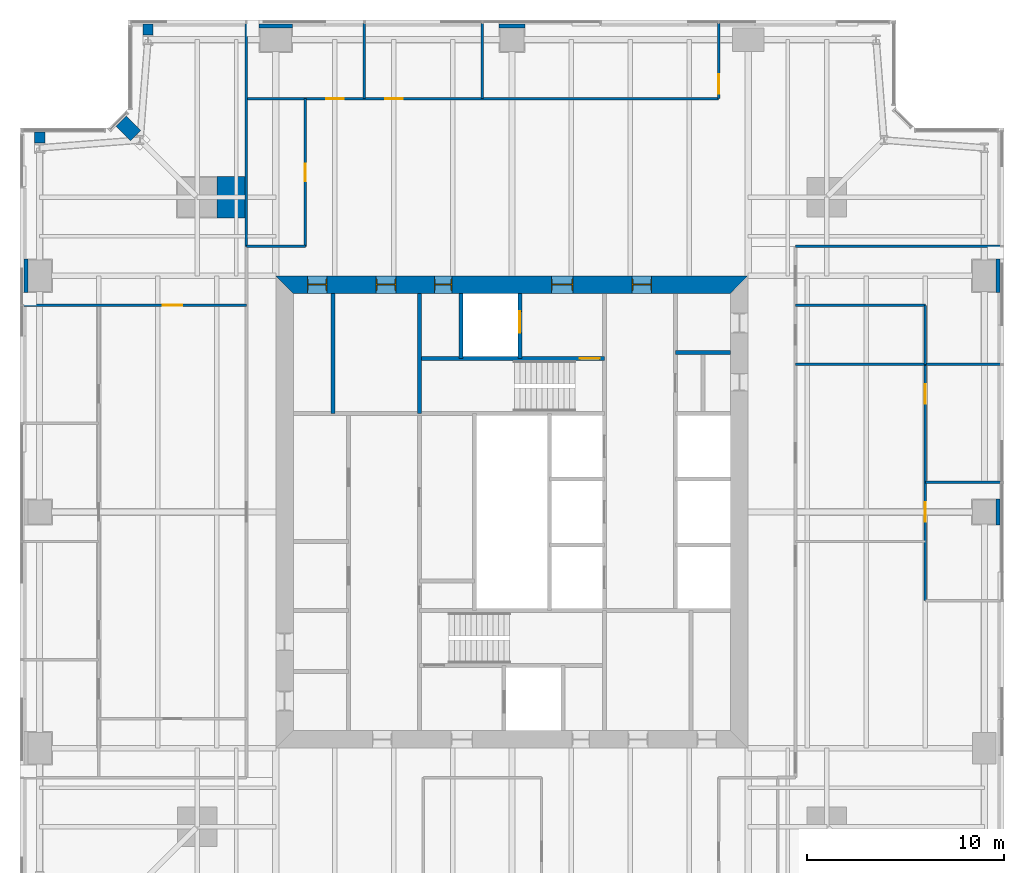
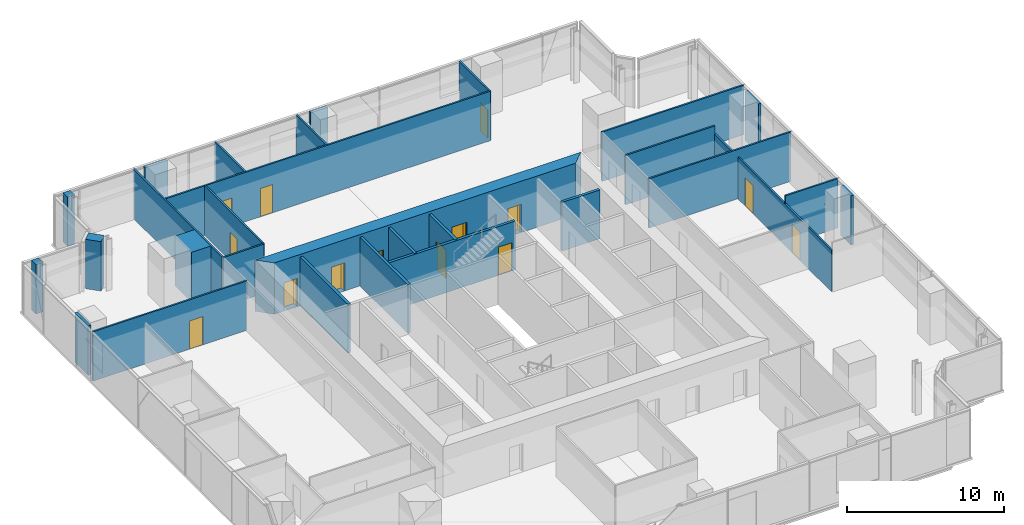
# One storey, part 11 of 14: 30 walls, 14 doors, 14 openings.
"""IFC4 building model written with IfcOpenShell, lengths in metres."""

import ifcopenshell
import ifcopenshell.guid

model = None  # the IFC model being written
_history = None  # IfcOwnerHistory: only IFC2X3 demands one
_inside = {}  # id of a spatial element -> (the spatial element, [elements in it])
_under = {}  # id of a project, library or spatial element -> (it, [spatial elements below it])
_declared = {}  # id of a project -> (the project, [libraries it declares])
_typed = {}  # id of a type object -> (the type object, [elements of that type])
_made_of = {}  # id of a material, layer set ... -> (it, [elements and type objects made of it])


def new_model(schema):
    """Start an empty IFC model of exactly this schema.

    Asked for "IFC4X3", IfcOpenShell would pick the latest addendum, in which some entities
    have other attributes; the version numbers below select the first issue.
    IFC2X3 requires an IfcOwnerHistory on every rooted entity: one is made here for all.
    """
    global model, _history
    if schema == "IFC4X3":
        model = ifcopenshell.file(schema_version=(4, 3, 0, 0))
    else:
        model = ifcopenshell.file(schema=schema)
    _inside.clear()
    _under.clear()
    _declared.clear()
    _typed.clear()
    _made_of.clear()
    _history = None
    if model.schema == "IFC2X3":
        org = make("IfcOrganization", Name="unknown")
        user = make(
            "IfcPersonAndOrganization",
            ThePerson=make("IfcPerson", FamilyName="unknown"),
            TheOrganization=org,
        )
        app = make(
            "IfcApplication",
            ApplicationDeveloper=org,
            Version="unknown",
            ApplicationFullName="unknown",
            ApplicationIdentifier="unknown",
        )
        _history = make(
            "IfcOwnerHistory",
            OwningUser=user,
            OwningApplication=app,
            ChangeAction="ADDED",
            CreationDate=0,
        )
    return model


def make(cls, **values):
    """One entity of the class cls with the attributes given. An attribute that is None is left unset."""
    return model.create_entity(
        cls, **{name: value for name, value in values.items() if value is not None}
    )


def rooted(cls, **values):
    """An entity with a GlobalId (a new one), such as an element, a storey or a relation."""
    return make(cls, GlobalId=ifcopenshell.guid.new(), OwnerHistory=_history, **values)


def si_unit(unit_type, name, prefix=None):
    """IfcSIUnit, for example si_unit("LENGTHUNIT", "METRE", prefix="MILLI")."""
    return make("IfcSIUnit", UnitType=unit_type, Prefix=prefix, Name=name)


def assignment(units):
    """IfcUnitAssignment: the units of a project."""
    return None if units is None else make("IfcUnitAssignment", Units=units)


def point(xyz):
    """IfcCartesianPoint."""
    return None if xyz is None else make("IfcCartesianPoint", Coordinates=xyz)


def direction(xyz):
    """IfcDirection."""
    return None if xyz is None else make("IfcDirection", DirectionRatios=xyz)


def frame(location, z_axis=None, x_axis=None):
    """IfcAxis2Placement3D, a coordinate frame: its origin and axes. An axis left out is left unset."""
    return make(
        "IfcAxis2Placement3D",
        Location=point(location),
        Axis=direction(z_axis),
        RefDirection=direction(x_axis),
    )


def frame_2d(location, x_axis=None):
    """IfcAxis2Placement2D, a coordinate frame in the plane: its origin and x axis."""
    return make(
        "IfcAxis2Placement2D", Location=point(location), RefDirection=direction(x_axis)
    )


def origin():
    """The frame at (0, 0, 0) with its axes left unset."""
    return frame((0.0, 0.0, 0.0))


def place(relative_to, where):
    """IfcLocalPlacement: puts the frame where relative to a parent placement (None: the world)."""
    return make(
        "IfcLocalPlacement", PlacementRelTo=relative_to, RelativePlacement=where
    )


def context(
    kind, dimensions, precision=None, world=None, true_north=None, identifier=None
):
    """IfcGeometricRepresentationContext, for example the 3D "Model" context."""
    return make(
        "IfcGeometricRepresentationContext",
        ContextIdentifier=identifier,
        ContextType=kind,
        CoordinateSpaceDimension=dimensions,
        Precision=precision,
        WorldCoordinateSystem=world,
        TrueNorth=true_north,
    )


def subcontext(parent, identifier, kind, view, scale=None):
    """IfcGeometricRepresentationSubContext, for example "Body" below "Model"."""
    return make(
        "IfcGeometricRepresentationSubContext",
        ContextIdentifier=identifier,
        ContextType=kind,
        ParentContext=parent,
        TargetScale=scale,
        TargetView=view,
    )


def project(units=None, contexts=None):
    """IfcProject with its units and contexts."""
    return rooted(
        "IfcProject",
        Name="project",
        RepresentationContexts=contexts,
        UnitsInContext=assignment(units),
    )


def spatial(cls, under=None, at=None, **own):
    """A site, building, storey or space (cls), placed at a placement, below another one or the project."""
    s = rooted(cls, ObjectPlacement=at, **own)
    if under is not None:
        _under.setdefault(under.id(), (under, []))[1].append(s)
    return s


def polyline(points):
    """IfcPolyline through the points."""
    return make("IfcPolyline", Points=[point(p) for p in points])


def profile(cls, at=None, kind="AREA", **sizes):
    """A parametric profile (cls). Its sizes go by their IFC names, for example OverallWidth=200.0."""
    return make(cls, ProfileType=kind, Position=at, **sizes)


def rectangle(**sizes):
    """IfcRectangleProfileDef."""
    return profile("IfcRectangleProfileDef", **sizes)


def outline(outer, holes=None, kind="AREA"):
    """IfcArbitraryClosedProfileDef: a profile drawn as a closed curve; with holes, ...WithVoids."""
    if holes is None:
        return make("IfcArbitraryClosedProfileDef", ProfileType=kind, OuterCurve=outer)
    return make(
        "IfcArbitraryProfileDefWithVoids",
        ProfileType=kind,
        OuterCurve=outer,
        InnerCurves=holes,
    )


def extrude(swept, where, along, depth):
    """IfcExtrudedAreaSolid: the profile swept, set in the frame where, extruded along a direction by depth."""
    return make(
        "IfcExtrudedAreaSolid",
        SweptArea=swept,
        Position=where,
        ExtrudedDirection=direction(along),
        Depth=depth,
    )


def shape(context_of_items, identifier, shape_type, items):
    """IfcShapeRepresentation: the items that make up one representation, for example the "Body"."""
    return make(
        "IfcShapeRepresentation",
        ContextOfItems=context_of_items,
        RepresentationIdentifier=identifier,
        RepresentationType=shape_type,
        Items=items,
    )


def material(Name=None, Category=None):
    """IfcMaterial."""
    return make("IfcMaterial", Name=Name, Category=Category)


def layer(
    of_material, thickness, ventilated=None, Name=None, Category=None, Priority=None
):
    """IfcMaterialLayer: one layer of a wall or slab, of a material (None: an air gap)."""
    return make(
        "IfcMaterialLayer",
        Material=of_material,
        LayerThickness=thickness,
        IsVentilated=ventilated,
        Name=Name,
        Category=Category,
        Priority=Priority,
    )


def layer_set(layers, Name=None):
    """IfcMaterialLayerSet."""
    return make("IfcMaterialLayerSet", MaterialLayers=layers, LayerSetName=Name)


def made_of(thing, what):
    """Note that an element or type object is made of a material, layer set ...; save() writes the relation."""
    if what is not None:
        _made_of.setdefault(what.id(), (what, []))[1].append(thing)
    return thing


def type_object(cls, material=None, **own):
    """A type object (cls), such as IfcWallType, which elements share."""
    return made_of(rooted(cls, **own), material)


def element(
    cls,
    number,
    at=None,
    inside=None,
    cuts=None,
    type_object=None,
    material=None,
    context=None,
    identifier="Body",
    shape_type=None,
    held_by="IfcProductDefinitionShape",
    body=None,
    shapes=None,
    **own,
):
    """One element of the class cls, such as IfcWall. Its Tag is "e" and its number.

    at: its placement. inside: the storey or other place that contains it. cuts: it is an
    opening in that element (IfcRelVoidsElement). A single representation is given by context,
    identifier, shape_type and body (its items); several are given by shapes. held_by: the class
    of the entity that holds the representations. save() writes the other relations.
    """
    e = rooted(cls, Tag="e%d" % number, ObjectPlacement=at, **own)
    if body is not None:
        shapes = [shape(context, identifier, shape_type, body)]
    if shapes is not None:
        e.Representation = make(held_by, Representations=shapes)
    if inside is not None:
        _inside.setdefault(inside.id(), (inside, []))[1].append(e)
    if cuts is not None:
        rooted(
            "IfcRelVoidsElement", RelatingBuildingElement=cuts, RelatedOpeningElement=e
        )
    if type_object is not None:
        _typed.setdefault(type_object.id(), (type_object, []))[1].append(e)
    return made_of(e, material)


def fill(opening, filler):
    """IfcRelFillsElement: the door or window that sits in an opening."""
    return rooted(
        "IfcRelFillsElement",
        RelatingOpeningElement=opening,
        RelatedBuildingElement=filler,
    )


def aggregate(whole, parts):
    """IfcRelAggregates: a whole, such as a stair, and the parts it consists of."""
    return rooted("IfcRelAggregates", RelatingObject=whole, RelatedObjects=parts)


def save(model, path):
    """Write the relations noted so far, then the file.

    IfcRelAggregates (storeys below a building ...), IfcRelContainedInSpatialStructure (elements
    in a storey), IfcRelDefinesByType, IfcRelAssociatesMaterial and IfcRelDeclares: one each for
    every whole, place, type object, material and project.
    """
    for whole, parts in _under.values():
        aggregate(whole, parts)
    for where, things in _inside.values():
        rooted(
            "IfcRelContainedInSpatialStructure",
            RelatedElements=things,
            RelatingStructure=where,
        )
    for kind, things in _typed.values():
        rooted("IfcRelDefinesByType", RelatedObjects=things, RelatingType=kind)
    for what, things in _made_of.values():
        rooted("IfcRelAssociatesMaterial", RelatedObjects=things, RelatingMaterial=what)
    for by, libraries in _declared.values():
        rooted("IfcRelDeclares", RelatingContext=by, RelatedDefinitions=libraries)
    model.write(path)


model = new_model("IFC4")

# Units and contexts
model_context = context("Model", 3, precision=1e-05, world=origin(), true_north=direction((0.0, 1.0)))
body_context = subcontext(model_context, "Body", "Model", "MODEL_VIEW")
ifc_project = project(units=[si_unit("LENGTHUNIT", "METRE"), si_unit("AREAUNIT", "SQUARE_METRE"), si_unit("VOLUMEUNIT", "CUBIC_METRE"), si_unit("PLANEANGLEUNIT", "RADIAN"), si_unit("MASSUNIT", "GRAM", prefix="KILO")], contexts=[model_context])

# Site, building, storey
site_placement = place(None, origin())
site = spatial("IfcSite", under=ifc_project, at=site_placement, CompositionType="ELEMENT")
building_placement = place(site_placement, origin())
building = spatial("IfcBuilding", under=site, at=building_placement, Name="Fenwick Lantern Interchange", CompositionType="ELEMENT")
storey_placement = place(building_placement, frame((0.0, 0.0, 173.800048828125)))
storey = spatial("IfcBuildingStorey", under=building, at=storey_placement, Name="L40", CompositionType="ELEMENT", Elevation=173.800048828125)

# Walls
ifc_material_1 = material(Name="Fire-rated gypsum board encasement on steel studs, 2 hour", Category="steel")
ifc_layer_1 = layer(ifc_material_1, 1.300048828125)
ifc_layer_set_1 = layer_set([ifc_layer_1], Name="COLUMN PIER 1300")
wall_type_1 = type_object("IfcWallType", Name="COLUMN PIER 1300", PredefinedType="PARTITIONING", material=ifc_layer_set_1)
for number, where, z_axis, x_axis, name in (
    (1, (49.800048828125, 25.0, 0.0), (0.0, 0.0, 1.0), (-1.0, 0.0, 0.0), "L40/W/PIER/CE3"),
    (2, (25.0, 49.800048828125, 0.0), (0.0, 0.0, 1.0), (0.0, -1.0, 0.0), "L40/W/PIER/CN3"),
):
    element("IfcWall", number, at=place(storey_placement, frame(where, z_axis=z_axis, x_axis=x_axis)), inside=storey, type_object=wall_type_1, Name=name, PredefinedType="PARTITIONING", context=body_context, shape_type="SweptSolid", body=[
        extrude(rectangle(XDim=0.199951171875, YDim=1.300048828125, at=frame_2d((0.10009765625, 0.0))), origin(), (0.0, 0.0, 1.0), 3.849853515625),
    ])
ifc_layer_2 = layer(ifc_material_1, 1.699951171875)
ifc_layer_set_2 = layer_set([ifc_layer_2], Name="COLUMN PIER 1700")
wall_type_2 = type_object("IfcWallType", Name="COLUMN PIER 1700", PredefinedType="PARTITIONING", material=ifc_layer_set_2)
for number, where, z_axis, x_axis, name in (
    (3, (49.800048828125, 37.0, 0.0), (0.0, 0.0, 1.0), (-1.0, 0.0, 0.0), "L40/W/PIER/CE4"),
    (4, (13.0, 49.800048828125, 0.0), (0.0, 0.0, 1.0), (0.0, -1.0, 0.0), "L40/W/PIER/CN4"),
    (5, (0.199951171875, 37.0, 0.0), (0.0, 0.0, 1.0), (1.0, 0.0, 0.0), "L40/W/PIER/CW2"),
):
    element("IfcWall", number, at=place(storey_placement, frame(where, z_axis=z_axis, x_axis=x_axis)), inside=storey, type_object=wall_type_2, Name=name, PredefinedType="PARTITIONING", context=body_context, shape_type="SweptSolid", body=[
        extrude(rectangle(XDim=0.199951171875, YDim=1.699951171875, at=frame_2d((0.10009765625, 0.0))), origin(), (0.0, 0.0, 1.0), 3.849853515625),
    ])
ifc_layer_3 = layer(ifc_material_1, 2.10009765625)
ifc_layer_set_3 = layer_set([ifc_layer_3], Name="COLUMN PIER 2100")
wall_type_3 = type_object("IfcWallType", Name="COLUMN PIER 2100", PredefinedType="PARTITIONING", material=ifc_layer_set_3)
wall_1_placement = place(storey_placement, frame((11.4375, 41.0, 0.0), z_axis=(0.0, 0.0, 1.0), x_axis=(-1.0, 0.0, 0.0)))
element("IfcWall", 6, at=wall_1_placement, inside=storey, type_object=wall_type_3, Name="L40/W/PIER/M4", PredefinedType="PARTITIONING", context=body_context, shape_type="SweptSolid", body=[
    extrude(rectangle(XDim=1.4375, YDim=2.10009765625, at=frame_2d((0.71875, 0.0))), origin(), (0.0, 0.0, 1.0), 3.849853515625),
])
ifc_layer_4 = layer(ifc_material_1, 0.52392578125)
ifc_layer_set_4 = layer_set([ifc_layer_4], Name="COLUMN PIER 524")
wall_type_4 = type_object("IfcWallType", Name="COLUMN PIER 524", PredefinedType="PARTITIONING", material=ifc_layer_set_4)
for number, where, z_axis, x_axis, name in (
    (7, (6.5, 49.800048828125, 0.0), (0.0, 0.0, 1.0), (0.0, -1.0, 0.0), "L40/W/PIER/CN5"),
    (8, (1.0, 44.300048828125, 0.0), (0.0, 0.0, 1.0), (0.0, -1.0, 0.0), "L40/W/PIER/CW1"),
):
    element("IfcWall", number, at=place(storey_placement, frame(where, z_axis=z_axis, x_axis=x_axis)), inside=storey, type_object=wall_type_4, Name=name, PredefinedType="PARTITIONING", context=body_context, shape_type="SweptSolid", body=[
        extrude(rectangle(XDim=0.5625, YDim=0.52392578125, at=frame_2d((0.28125, 0.0))), origin(), (0.0, 0.0, 1.0), 3.849853515625),
    ])
ifc_layer_5 = layer(ifc_material_1, 0.736083984375)
ifc_layer_set_5 = layer_set([ifc_layer_5], Name="COLUMN PIER 736")
wall_type_5 = type_object("IfcWallType", Name="COLUMN PIER 736", PredefinedType="PARTITIONING", material=ifc_layer_set_5)
wall_2_placement = place(storey_placement, frame((5.141357421875, 44.858642578125, 0.0), z_axis=(0.0, 0.0, 1.0), x_axis=(0.707106781187, -0.707106781187, 0.0)))
element("IfcWall", 9, at=wall_2_placement, inside=storey, type_object=wall_type_5, Name="L40/W/PIER/CNR", PredefinedType="PARTITIONING", context=body_context, shape_type="SweptSolid", body=[
    extrude(rectangle(XDim=1.037841796875, YDim=0.736083984375, at=frame_2d((0.51904296875, 0.0))), origin(), (0.0, 0.0, 1.0), 3.849853515625),
])

# Wall, opening, door
ifc_material_2 = material(Name="Concrete masonry ASTM C90 Grade N", Category="masonry")
ifc_layer_6 = layer(ifc_material_2, 0.199951171875)
ifc_layer_set_6 = layer_set([ifc_layer_6], Name="Concrete masonry ASTM C90 Grade N")
wall_type_6 = type_object("IfcWallType", Name="CORE PARTITION 200", PredefinedType="PARTITIONING", material=ifc_layer_set_6)
wall_3_placement = place(storey_placement, frame((25.39990234375, 36.10009765625, 0.0), z_axis=(0.0, 0.0, 1.0), x_axis=(0.0, -1.0, 0.0)))
wall_3 = element("IfcWall", 10, at=wall_3_placement, inside=storey, type_object=wall_type_6, Name="L40/W/COREN/h1", PredefinedType="PARTITIONING", context=body_context, shape_type="SweptSolid", body=[
    extrude(rectangle(XDim=3.300048828125, YDim=0.199951171875, at=frame_2d((1.64990234375, 0.0))), origin(), (0.0, 0.0, 1.0), 3.800048828125),
])
opening_1_placement = place(wall_3_placement, frame((0.89990234375, 0.0, 0.0)))
opening_1 = element("IfcOpeningElement", 11, at=opening_1_placement, cuts=wall_3, Name="Opening LD-FL2", PredefinedType="OPENING", context=body_context, shape_type="SweptSolid", body=[
    extrude(rectangle(XDim=1.10009765625, YDim=2.199951171875, at=frame_2d((0.550048828125, 1.10009765625))), frame((0.0, 0.10986328125, 0.0), z_axis=(0.0, -1.0, 0.0), x_axis=(1.0, 0.0, 0.0)), (0.0, 0.0, 1.0), 0.219970703125),
])
ifc_material_3 = material(Name="Steel door and frame", Category="steel")
door_type_1 = type_object("IfcDoorType", Name="LIFT LANDING DOOR 1100 X 2200", OperationType="DOUBLE_DOOR_SLIDING", PredefinedType="DOOR", material=ifc_material_3)
door_1_placement = place(opening_1_placement, origin())
door_1 = element("IfcDoor", 12, at=door_1_placement, inside=storey, type_object=door_type_1, Name="Lift landing door FL2", OperationType="DOUBLE_DOOR_SLIDING", OverallHeight=2.199951171875, OverallWidth=1.10009765625, PredefinedType="DOOR", context=body_context, shape_type="SweptSolid", body=[
    extrude(rectangle(XDim=1.10009765625, YDim=2.199951171875, at=frame_2d((0.550048828125, 1.10009765625))), frame((0.0, 0.02490234375, 0.0), z_axis=(0.0, -1.0, 0.0), x_axis=(1.0, 0.0, 0.0)), (0.0, 0.0, 1.0), 0.050048828125),
])
fill(opening_1, door_1)

# Walls
wall_4_placement = place(storey_placement, frame((22.39990234375, 36.10009765625, 0.0), z_axis=(0.0, 0.0, 1.0), x_axis=(0.0, -1.0, 0.0)))
element("IfcWall", 13, at=wall_4_placement, inside=storey, type_object=wall_type_6, Name="L40/W/COREN/h2", PredefinedType="PARTITIONING", context=body_context, shape_type="SweptSolid", body=[
    extrude(rectangle(XDim=3.300048828125, YDim=0.199951171875, at=frame_2d((1.64990234375, 0.0))), origin(), (0.0, 0.0, 1.0), 3.800048828125),
])
wall_5_placement = place(storey_placement, frame((15.89990234375, 36.10009765625, 0.0), z_axis=(0.0, 0.0, 1.0), x_axis=(0.0, -1.0, 0.0)))
element("IfcWall", 14, at=wall_5_placement, inside=storey, type_object=wall_type_6, Name="L40/W/COREN/i2", PredefinedType="PARTITIONING", context=body_context, shape_type="SweptSolid", body=[
    extrude(rectangle(XDim=6.10009765625, YDim=0.199951171875, at=frame_2d((3.050048828125, 0.0))), origin(), (0.0, 0.0, 1.0), 3.800048828125),
])
wall_6_placement = place(storey_placement, frame((36.10009765625, 33.10009765625, 0.0), z_axis=(0.0, 0.0, 1.0), x_axis=(-1.0, 0.0, 0.0)))
element("IfcWall", 15, at=wall_6_placement, inside=storey, type_object=wall_type_6, Name="L40/W/COREN/p1", PredefinedType="PARTITIONING", context=body_context, shape_type="SweptSolid", body=[
    extrude(rectangle(XDim=2.800048828125, YDim=0.199951171875, at=frame_2d((1.39990234375, 0.0))), origin(), (0.0, 0.0, 1.0), 3.800048828125),
])

# Wall, openings, doors
ifc_material_4 = material(Name="Concrete f'c 70 MPa", Category="concrete")
ifc_layer_7 = layer(ifc_material_4, 0.89990234375)
ifc_layer_set_7 = layer_set([ifc_layer_7], Name="CORE WALL 900")
wall_type_7 = type_object("IfcWallType", Name="CORE WALL 900", PredefinedType="SHEAR", material=ifc_layer_set_7)
wall_7_placement = place(storey_placement, frame((37.0, 36.550048828125, 0.0), z_axis=(0.0, 0.0, 1.0), x_axis=(-1.0, 0.0, 0.0)))
wall_7 = element("IfcWall", 16, at=wall_7_placement, inside=storey, type_object=wall_type_7, Name="L40/CORE/N", PredefinedType="SHEAR", context=body_context, shape_type="SweptSolid", body=[
    extrude(outline(polyline([(0.0, -0.449951171875), (24.0, -0.449951171875), (23.10009765625, 0.449951171875), (0.89990234375, 0.449951171875), (0.0, -0.449951171875)])), origin(), (0.0, 0.0, 1.0), 4.0),
])
opening_2_placement = place(wall_7_placement, frame((4.89990234375, 0.0, 0.0)))
opening_2 = element("IfcOpeningElement", 17, at=opening_2_placement, cuts=wall_7, Name="Opening L40-D013", PredefinedType="OPENING", context=body_context, shape_type="SweptSolid", body=[
    extrude(rectangle(XDim=1.0, YDim=2.199951171875, at=frame_2d((0.5, 1.10009765625))), frame((0.0, 0.4599609375, 0.0), z_axis=(0.0, -1.0, 0.0), x_axis=(1.0, 0.0, 0.0)), (0.0, 0.0, 1.0), 0.919921875),
])
opening_3_placement = place(wall_7_placement, frame((8.89990234375, 0.0, 0.0)))
opening_3 = element("IfcOpeningElement", 18, at=opening_3_placement, cuts=wall_7, Name="Opening L40-D014", PredefinedType="OPENING", context=body_context, shape_type="SweptSolid", body=[
    extrude(rectangle(XDim=1.10009765625, YDim=2.199951171875, at=frame_2d((0.550048828125, 1.10009765625))), frame((0.0, 0.4599609375, 0.0), z_axis=(0.0, -1.0, 0.0), x_axis=(1.0, 0.0, 0.0)), (0.0, 0.0, 1.0), 0.919921875),
])
opening_4_placement = place(wall_7_placement, frame((15.050048828125, 0.0, 0.0)))
opening_4 = element("IfcOpeningElement", 19, at=opening_4_placement, cuts=wall_7, Name="Opening L40-D016", PredefinedType="OPENING", context=body_context, shape_type="SweptSolid", body=[
    extrude(rectangle(XDim=0.89990234375, YDim=2.199951171875, at=frame_2d((0.449951171875, 1.10009765625))), frame((0.0, 0.4599609375, 0.0), z_axis=(0.0, -1.0, 0.0), x_axis=(1.0, 0.0, 0.0)), (0.0, 0.0, 1.0), 0.919921875),
])
opening_5_placement = place(wall_7_placement, frame((17.89990234375, 0.0, 0.0)))
opening_5 = element("IfcOpeningElement", 20, at=opening_5_placement, cuts=wall_7, Name="Opening L40-D017", PredefinedType="OPENING", context=body_context, shape_type="SweptSolid", body=[
    extrude(rectangle(XDim=1.0, YDim=2.199951171875, at=frame_2d((0.5, 1.10009765625))), frame((0.0, 0.4599609375, 0.0), z_axis=(0.0, -1.0, 0.0), x_axis=(1.0, 0.0, 0.0)), (0.0, 0.0, 1.0), 0.919921875),
])
opening_6_placement = place(wall_7_placement, frame((21.39990234375, 0.0, 0.0)))
opening_6 = element("IfcOpeningElement", 21, at=opening_6_placement, cuts=wall_7, Name="Opening L40-D018", PredefinedType="OPENING", context=body_context, shape_type="SweptSolid", body=[
    extrude(rectangle(XDim=1.0, YDim=2.199951171875, at=frame_2d((0.5, 1.10009765625))), frame((0.0, 0.4599609375, 0.0), z_axis=(0.0, -1.0, 0.0), x_axis=(1.0, 0.0, 0.0)), (0.0, 0.0, 1.0), 0.919921875),
])
door_type_2 = type_object("IfcDoorType", Name="CORE LOBBY DOOR 1000 X 2200", OperationType="SINGLE_SWING_LEFT", PredefinedType="DOOR", material=ifc_material_3)
door_2_placement = place(opening_2_placement, origin())
door_2 = element("IfcDoor", 22, at=door_2_placement, inside=storey, type_object=door_type_2, Name="Core lobby door", OperationType="SINGLE_SWING_LEFT", OverallHeight=2.199951171875, OverallWidth=1.0, PredefinedType="DOOR", context=body_context, shape_type="SweptSolid", body=[
    extrude(rectangle(XDim=1.0, YDim=2.199951171875, at=frame_2d((0.5, 1.10009765625))), frame((0.0, 0.02490234375, 0.0), z_axis=(0.0, -1.0, 0.0), x_axis=(1.0, 0.0, 0.0)), (0.0, 0.0, 1.0), 0.050048828125),
    extrude(outline(polyline([(0.0, 0.0), (0.0400390625, 0.0), (0.0400390625, 2.159912109375), (0.9599609375, 2.159912109375), (0.9599609375, 0.0), (1.0, 0.0), (1.0, 2.199951171875), (0.0, 2.199951171875), (0.0, 0.0)])), frame((0.0, 0.300048828125, 0.0), z_axis=(0.0, -1.0, 0.0), x_axis=(1.0, 0.0, 0.0)), (0.0, 0.0, 1.0), 0.60009765625),
])
fill(opening_2, door_2)
door_type_3 = type_object("IfcDoorType", Name="FIRE LOBBY DOOR 1100 X 2200", OperationType="SINGLE_SWING_LEFT", PredefinedType="DOOR", material=ifc_material_3)
door_3_placement = place(opening_3_placement, origin())
door_3 = element("IfcDoor", 23, at=door_3_placement, inside=storey, type_object=door_type_3, Name="Fire lobby door", OperationType="SINGLE_SWING_LEFT", OverallHeight=2.199951171875, OverallWidth=1.10009765625, PredefinedType="DOOR", context=body_context, shape_type="SweptSolid", body=[
    extrude(rectangle(XDim=1.10009765625, YDim=2.199951171875, at=frame_2d((0.550048828125, 1.10009765625))), frame((0.0, 0.02490234375, 0.0), z_axis=(0.0, -1.0, 0.0), x_axis=(1.0, 0.0, 0.0)), (0.0, 0.0, 1.0), 0.050048828125),
    extrude(outline(polyline([(0.0, 0.0), (0.0400390625, 0.0), (0.0400390625, 2.159912109375), (1.06005859375, 2.159912109375), (1.06005859375, 0.0), (1.10009765625, 0.0), (1.10009765625, 2.199951171875), (0.0, 2.199951171875), (0.0, 0.0)])), frame((0.0, 0.300048828125, 0.0), z_axis=(0.0, -1.0, 0.0), x_axis=(1.0, 0.0, 0.0)), (0.0, 0.0, 1.0), 0.60009765625),
])
fill(opening_3, door_3)
door_type_4 = type_object("IfcDoorType", Name="SERVICE DOOR 900 X 2200", OperationType="SINGLE_SWING_LEFT", PredefinedType="DOOR", material=ifc_material_3)
door_4_placement = place(opening_4_placement, origin())
door_4 = element("IfcDoor", 24, at=door_4_placement, inside=storey, type_object=door_type_4, Name="Service door", OperationType="SINGLE_SWING_LEFT", OverallHeight=2.199951171875, OverallWidth=0.89990234375, PredefinedType="DOOR", context=body_context, shape_type="SweptSolid", body=[
    extrude(rectangle(XDim=0.89990234375, YDim=2.199951171875, at=frame_2d((0.449951171875, 1.10009765625))), frame((0.0, 0.02490234375, 0.0), z_axis=(0.0, -1.0, 0.0), x_axis=(1.0, 0.0, 0.0)), (0.0, 0.0, 1.0), 0.050048828125),
    extrude(outline(polyline([(0.0, 0.0), (0.0400390625, 0.0), (0.0400390625, 2.159912109375), (0.85986328125, 2.159912109375), (0.85986328125, 0.0), (0.89990234375, 0.0), (0.89990234375, 2.199951171875), (0.0, 2.199951171875), (0.0, 0.0)])), frame((0.0, 0.300048828125, 0.0), z_axis=(0.0, -1.0, 0.0), x_axis=(1.0, 0.0, 0.0)), (0.0, 0.0, 1.0), 0.60009765625),
])
fill(opening_4, door_4)
ifc_material_5 = material(Name="Hardwood door and steel frame", Category="steel")
door_type_5 = type_object("IfcDoorType", Name="WC DOOR 1000 X 2200", OperationType="SINGLE_SWING_LEFT", PredefinedType="DOOR", material=ifc_material_5)
door_5_placement = place(opening_5_placement, origin())
door_5 = element("IfcDoor", 25, at=door_5_placement, inside=storey, type_object=door_type_5, Name="Wc door", OperationType="SINGLE_SWING_LEFT", OverallHeight=2.199951171875, OverallWidth=1.0, PredefinedType="DOOR", context=body_context, shape_type="SweptSolid", body=[
    extrude(rectangle(XDim=1.0, YDim=2.199951171875, at=frame_2d((0.5, 1.10009765625))), frame((0.0, 0.02490234375, 0.0), z_axis=(0.0, -1.0, 0.0), x_axis=(1.0, 0.0, 0.0)), (0.0, 0.0, 1.0), 0.050048828125),
    extrude(outline(polyline([(0.0, 0.0), (0.0400390625, 0.0), (0.0400390625, 2.159912109375), (0.9599609375, 2.159912109375), (0.9599609375, 0.0), (1.0, 0.0), (1.0, 2.199951171875), (0.0, 2.199951171875), (0.0, 0.0)])), frame((0.0, 0.300048828125, 0.0), z_axis=(0.0, -1.0, 0.0), x_axis=(1.0, 0.0, 0.0)), (0.0, 0.0, 1.0), 0.60009765625),
])
fill(opening_5, door_5)
door_6_placement = place(opening_6_placement, origin())
door_6 = element("IfcDoor", 26, at=door_6_placement, inside=storey, type_object=door_type_5, Name="Wc door", OperationType="SINGLE_SWING_LEFT", OverallHeight=2.199951171875, OverallWidth=1.0, PredefinedType="DOOR", context=body_context, shape_type="SweptSolid", body=[
    extrude(rectangle(XDim=1.0, YDim=2.199951171875, at=frame_2d((0.5, 1.10009765625))), frame((0.0, 0.02490234375, 0.0), z_axis=(0.0, -1.0, 0.0), x_axis=(1.0, 0.0, 0.0)), (0.0, 0.0, 1.0), 0.050048828125),
    extrude(outline(polyline([(0.0, 0.0), (0.0400390625, 0.0), (0.0400390625, 2.159912109375), (0.9599609375, 2.159912109375), (0.9599609375, 0.0), (1.0, 0.0), (1.0, 2.199951171875), (0.0, 2.199951171875), (0.0, 0.0)])), frame((0.0, 0.300048828125, 0.0), z_axis=(0.0, -1.0, 0.0), x_axis=(1.0, 0.0, 0.0)), (0.0, 0.0, 1.0), 0.60009765625),
])
fill(opening_6, door_6)

# Walls
ifc_material_6 = material(Name="Gypsum board on steel studs, acoustic", Category="steel")
ifc_layer_8 = layer(ifc_material_6, 0.125)
ifc_layer_set_8 = layer_set([ifc_layer_8], Name="OFFICE PARTITION 125")
wall_type_8 = type_object("IfcWallType", Name="OFFICE PARTITION 125", PredefinedType="PARTITIONING", material=ifc_layer_set_8)
wall_8_placement = place(storey_placement, frame((49.85009765625, 26.5, 0.0), z_axis=(0.0, 0.0, 1.0), x_axis=(-1.0, 0.0, 0.0)))
element("IfcWall", 27, at=wall_8_placement, inside=storey, type_object=wall_type_8, Name="L40/W/OFF/E/X265-1", PredefinedType="PARTITIONING", context=body_context, shape_type="SweptSolid", body=[
    extrude(rectangle(XDim=3.85009765625, YDim=0.125, at=frame_2d((1.925048828125, 0.0))), origin(), (0.0, 0.0, 1.0), 3.849853515625),
])
wall_9_placement = place(storey_placement, frame((49.85009765625, 32.5, 0.0), z_axis=(0.0, 0.0, 1.0), x_axis=(-1.0, 0.0, 0.0)))
element("IfcWall", 28, at=wall_9_placement, inside=storey, type_object=wall_type_8, Name="L40/W/OFF/E/X325-1", PredefinedType="PARTITIONING", context=body_context, shape_type="SweptSolid", body=[
    extrude(rectangle(XDim=10.4501953125, YDim=0.125, at=frame_2d((5.22509765625, 0.0))), origin(), (0.0, 0.0, 1.0), 3.849853515625),
])
wall_10_placement = place(storey_placement, frame((46.0, 35.5, 0.0), z_axis=(0.0, 0.0, 1.0), x_axis=(-1.0, 0.0, 0.0)))
element("IfcWall", 29, at=wall_10_placement, inside=storey, type_object=wall_type_8, Name="L40/W/OFF/E/X355-1", PredefinedType="PARTITIONING", context=body_context, shape_type="SweptSolid", body=[
    extrude(rectangle(XDim=6.60009765625, YDim=0.125, at=frame_2d((3.300048828125, 0.0))), origin(), (0.0, 0.0, 1.0), 3.849853515625),
])

# Wall, openings, doors
wall_11_placement = place(storey_placement, frame((46.0, 20.5, 0.0), z_axis=(0.0, 0.0, 1.0), x_axis=(0.0, 1.0, 0.0)))
wall_11 = element("IfcWall", 30, at=wall_11_placement, inside=storey, type_object=wall_type_8, Name="L40/W/OFF/E/Y40-1", PredefinedType="PARTITIONING", context=body_context, shape_type="SweptSolid", body=[
    extrude(rectangle(XDim=12.0, YDim=0.125, at=frame_2d((6.0, 0.0))), origin(), (0.0, 0.0, 1.0), 3.23779296875),
])
opening_7_placement = place(wall_11_placement, frame((4.0, 0.0, 0.0)))
opening_7 = element("IfcOpeningElement", 31, at=opening_7_placement, cuts=wall_11, Name="Opening L40-D026", PredefinedType="OPENING", context=body_context, shape_type="SweptSolid", body=[
    extrude(rectangle(XDim=1.0, YDim=2.199951171875, at=frame_2d((0.5, 1.10009765625))), frame((0.0, 0.072509765625, 0.0), z_axis=(0.0, -1.0, 0.0), x_axis=(1.0, 0.0, 0.0)), (0.0, 0.0, 1.0), 0.14501953125),
])
opening_8_placement = place(wall_11_placement, frame((10.0, 0.0, 0.0)))
opening_8 = element("IfcOpeningElement", 32, at=opening_8_placement, cuts=wall_11, Name="Opening L40-D027", PredefinedType="OPENING", context=body_context, shape_type="SweptSolid", body=[
    extrude(rectangle(XDim=1.0, YDim=2.199951171875, at=frame_2d((0.5, 1.10009765625))), frame((0.0, 0.072509765625, 0.0), z_axis=(0.0, -1.0, 0.0), x_axis=(1.0, 0.0, 0.0)), (0.0, 0.0, 1.0), 0.14501953125),
])
door_type_6 = type_object("IfcDoorType", Name="MEETING ROOM DOOR 1000 X 2200", OperationType="SINGLE_SWING_LEFT", PredefinedType="DOOR", material=ifc_material_5)
door_7_placement = place(opening_7_placement, frame((1.0, 0.0, 0.0), z_axis=(0.0, 0.0, 1.0), x_axis=(-1.0, 0.0, 0.0)))
door_7 = element("IfcDoor", 33, at=door_7_placement, inside=storey, type_object=door_type_6, Name="Meeting room door", OperationType="SINGLE_SWING_LEFT", OverallHeight=2.199951171875, OverallWidth=1.0, PredefinedType="DOOR", context=body_context, shape_type="SweptSolid", body=[
    extrude(rectangle(XDim=1.0, YDim=2.199951171875, at=frame_2d((0.5, 1.10009765625))), frame((0.0, 0.02490234375, 0.0), z_axis=(0.0, -1.0, 0.0), x_axis=(1.0, 0.0, 0.0)), (0.0, 0.0, 1.0), 0.050048828125),
])
fill(opening_7, door_7)
door_8_placement = place(opening_8_placement, frame((1.0, 0.0, 0.0), z_axis=(0.0, 0.0, 1.0), x_axis=(-1.0, 0.0, 0.0)))
door_8 = element("IfcDoor", 34, at=door_8_placement, inside=storey, type_object=door_type_6, Name="Meeting room door", OperationType="SINGLE_SWING_LEFT", OverallHeight=2.199951171875, OverallWidth=1.0, PredefinedType="DOOR", context=body_context, shape_type="SweptSolid", body=[
    extrude(rectangle(XDim=1.0, YDim=2.199951171875, at=frame_2d((0.5, 1.10009765625))), frame((0.0, 0.02490234375, 0.0), z_axis=(0.0, -1.0, 0.0), x_axis=(1.0, 0.0, 0.0)), (0.0, 0.0, 1.0), 0.050048828125),
])
fill(opening_8, door_8)

# Walls
wall_12_placement = place(storey_placement, frame((46.0, 32.5, 0.0), z_axis=(0.0, 0.0, 1.0), x_axis=(0.0, 1.0, 0.0)))
element("IfcWall", 35, at=wall_12_placement, inside=storey, type_object=wall_type_8, Name="L40/W/OFF/E/Y40-2", PredefinedType="PARTITIONING", context=body_context, shape_type="SweptSolid", body=[
    extrude(rectangle(XDim=3.0, YDim=0.125, at=frame_2d((1.5, 0.0))), origin(), (0.0, 0.0, 1.0), 3.23779296875),
])
wall_13_placement = place(storey_placement, frame((49.85009765625, 38.5, 0.0), z_axis=(0.0, 0.0, 1.0), x_axis=(-1.0, 0.0, 0.0)))
element("IfcWall", 36, at=wall_13_placement, inside=storey, type_object=wall_type_8, Name="L40/W/OFF/N/BACK", PredefinedType="PARTITIONING", context=body_context, shape_type="SweptSolid", body=[
    extrude(rectangle(XDim=10.4501953125, YDim=0.125, at=frame_2d((5.22509765625, 0.0))), origin(), (0.0, 0.0, 1.0), 3.849853515625),
])

# Wall, opening, door
wall_14_placement = place(storey_placement, frame((35.5, 49.85009765625, 0.0), z_axis=(0.0, 0.0, 1.0), x_axis=(0.0, -1.0, 0.0)))
wall_14 = element("IfcWall", 37, at=wall_14_placement, inside=storey, type_object=wall_type_8, Name="L40/W/OFF/N/X145-1", PredefinedType="PARTITIONING", context=body_context, shape_type="SweptSolid", body=[
    extrude(rectangle(XDim=3.85009765625, YDim=0.125, at=frame_2d((1.925048828125, 0.0))), origin(), (0.0, 0.0, 1.0), 3.849853515625),
])
opening_9_placement = place(wall_14_placement, frame((2.60009765625, 0.0, 0.0)))
opening_9 = element("IfcOpeningElement", 38, at=opening_9_placement, cuts=wall_14, Name="Opening L40-D032", PredefinedType="OPENING", context=body_context, shape_type="SweptSolid", body=[
    extrude(rectangle(XDim=1.0, YDim=2.199951171875, at=frame_2d((0.5, 1.10009765625))), frame((0.0, 0.072509765625, 0.0), z_axis=(0.0, -1.0, 0.0), x_axis=(1.0, 0.0, 0.0)), (0.0, 0.0, 1.0), 0.14501953125),
])
door_9_placement = place(opening_9_placement, frame((1.0, 0.0, 0.0), z_axis=(0.0, 0.0, 1.0), x_axis=(-1.0, 0.0, 0.0)))
door_9 = element("IfcDoor", 39, at=door_9_placement, inside=storey, type_object=door_type_6, Name="Meeting room door", OperationType="SINGLE_SWING_LEFT", OverallHeight=2.199951171875, OverallWidth=1.0, PredefinedType="DOOR", context=body_context, shape_type="SweptSolid", body=[
    extrude(rectangle(XDim=1.0, YDim=2.199951171875, at=frame_2d((0.5, 1.10009765625))), frame((0.0, 0.02490234375, 0.0), z_axis=(0.0, -1.0, 0.0), x_axis=(1.0, 0.0, 0.0)), (0.0, 0.0, 1.0), 0.050048828125),
])
fill(opening_9, door_9)

# Walls
for number, where, z_axis, x_axis, name in (
    (40, (23.5, 49.85009765625, 0.0), (0.0, 0.0, 1.0), (0.0, -1.0, 0.0), "L40/W/OFF/N/X265-1"),
    (41, (17.5, 49.85009765625, 0.0), (0.0, 0.0, 1.0), (0.0, -1.0, 0.0), "L40/W/OFF/N/X325-1"),
):
    element("IfcWall", number, at=place(storey_placement, frame(where, z_axis=z_axis, x_axis=x_axis)), inside=storey, type_object=wall_type_8, Name=name, PredefinedType="PARTITIONING", context=body_context, shape_type="SweptSolid", body=[
        extrude(rectangle(XDim=3.85009765625, YDim=0.125, at=frame_2d((1.925048828125, 0.0))), origin(), (0.0, 0.0, 1.0), 3.849853515625),
    ])

# Wall, opening, door
wall_15_placement = place(storey_placement, frame((14.5, 46.0, 0.0), z_axis=(0.0, 0.0, 1.0), x_axis=(0.0, -1.0, 0.0)))
wall_15 = element("IfcWall", 42, at=wall_15_placement, inside=storey, type_object=wall_type_8, Name="L40/W/OFF/N/X355-1", PredefinedType="PARTITIONING", context=body_context, shape_type="SweptSolid", body=[
    extrude(rectangle(XDim=7.5, YDim=0.125, at=frame_2d((3.75, 0.0))), origin(), (0.0, 0.0, 1.0), 3.849853515625),
])
opening_10_placement = place(wall_15_placement, frame((3.300048828125, 0.0, 0.0)))
opening_10 = element("IfcOpeningElement", 43, at=opening_10_placement, cuts=wall_15, Name="Opening L40-D035", PredefinedType="OPENING", context=body_context, shape_type="SweptSolid", body=[
    extrude(rectangle(XDim=0.89990234375, YDim=2.199951171875, at=frame_2d((0.449951171875, 1.10009765625))), frame((0.0, 0.072509765625, 0.0), z_axis=(0.0, -1.0, 0.0), x_axis=(1.0, 0.0, 0.0)), (0.0, 0.0, 1.0), 0.14501953125),
])
door_type_7 = type_object("IfcDoorType", Name="OFFICE DOOR 900 X 2200", OperationType="SINGLE_SWING_LEFT", PredefinedType="DOOR", material=ifc_material_5)
door_10_placement = place(opening_10_placement, frame((0.89990234375, 0.0, 0.0), z_axis=(0.0, 0.0, 1.0), x_axis=(-1.0, 0.0, 0.0)))
door_10 = element("IfcDoor", 44, at=door_10_placement, inside=storey, type_object=door_type_7, Name="Office door", OperationType="SINGLE_SWING_RIGHT", OverallHeight=2.199951171875, OverallWidth=0.89990234375, PredefinedType="DOOR", context=body_context, shape_type="SweptSolid", body=[
    extrude(rectangle(XDim=0.89990234375, YDim=2.199951171875, at=frame_2d((0.449951171875, 1.10009765625))), frame((0.0, 0.02490234375, 0.0), z_axis=(0.0, -1.0, 0.0), x_axis=(1.0, 0.0, 0.0)), (0.0, 0.0, 1.0), 0.050048828125),
])
fill(opening_10, door_10)

# Wall, openings, doors
wall_16_placement = place(storey_placement, frame((35.5, 46.0, 0.0), z_axis=(0.0, 0.0, 1.0), x_axis=(-1.0, 0.0, 0.0)))
wall_16 = element("IfcWall", 45, at=wall_16_placement, inside=storey, type_object=wall_type_8, Name="L40/W/OFF/N/Y40-1", PredefinedType="PARTITIONING", context=body_context, shape_type="SweptSolid", body=[
    extrude(rectangle(XDim=24.0, YDim=0.125, at=frame_2d((12.0, 0.0))), origin(), (0.0, 0.0, 1.0), 3.849853515625),
])
opening_11_placement = place(wall_16_placement, frame((16.050048828125, 0.0, 0.0)))
opening_11 = element("IfcOpeningElement", 46, at=opening_11_placement, cuts=wall_16, Name="Opening L40-D033", PredefinedType="OPENING", context=body_context, shape_type="SweptSolid", body=[
    extrude(rectangle(XDim=0.89990234375, YDim=2.199951171875, at=frame_2d((0.449951171875, 1.10009765625))), frame((0.0, 0.072509765625, 0.0), z_axis=(0.0, -1.0, 0.0), x_axis=(1.0, 0.0, 0.0)), (0.0, 0.0, 1.0), 0.14501953125),
])
opening_12_placement = place(wall_16_placement, frame((19.050048828125, 0.0, 0.0)))
opening_12 = element("IfcOpeningElement", 47, at=opening_12_placement, cuts=wall_16, Name="Opening L40-D034", PredefinedType="OPENING", context=body_context, shape_type="SweptSolid", body=[
    extrude(rectangle(XDim=0.89990234375, YDim=2.199951171875, at=frame_2d((0.449951171875, 1.10009765625))), frame((0.0, 0.072509765625, 0.0), z_axis=(0.0, -1.0, 0.0), x_axis=(1.0, 0.0, 0.0)), (0.0, 0.0, 1.0), 0.14501953125),
])
door_11_placement = place(opening_11_placement, frame((0.89990234375, 0.0, 0.0), z_axis=(0.0, 0.0, 1.0), x_axis=(-1.0, 0.0, 0.0)))
door_11 = element("IfcDoor", 48, at=door_11_placement, inside=storey, type_object=door_type_7, Name="Office door", OperationType="SINGLE_SWING_LEFT", OverallHeight=2.199951171875, OverallWidth=0.89990234375, PredefinedType="DOOR", context=body_context, shape_type="SweptSolid", body=[
    extrude(rectangle(XDim=0.89990234375, YDim=2.199951171875, at=frame_2d((0.449951171875, 1.10009765625))), frame((0.0, 0.02490234375, 0.0), z_axis=(0.0, -1.0, 0.0), x_axis=(1.0, 0.0, 0.0)), (0.0, 0.0, 1.0), 0.050048828125),
])
fill(opening_11, door_11)
door_12_placement = place(opening_12_placement, frame((0.89990234375, 0.0, 0.0), z_axis=(0.0, 0.0, 1.0), x_axis=(-1.0, 0.0, 0.0)))
door_12 = element("IfcDoor", 49, at=door_12_placement, inside=storey, type_object=door_type_7, Name="Office door", OperationType="SINGLE_SWING_RIGHT", OverallHeight=2.199951171875, OverallWidth=0.89990234375, PredefinedType="DOOR", context=body_context, shape_type="SweptSolid", body=[
    extrude(rectangle(XDim=0.89990234375, YDim=2.199951171875, at=frame_2d((0.449951171875, 1.10009765625))), frame((0.0, 0.02490234375, 0.0), z_axis=(0.0, -1.0, 0.0), x_axis=(1.0, 0.0, 0.0)), (0.0, 0.0, 1.0), 0.050048828125),
])
fill(opening_12, door_12)

# Walls
wall_17_placement = place(storey_placement, frame((14.5, 38.5, 0.0), z_axis=(0.0, 0.0, 1.0), x_axis=(-1.0, 0.0, 0.0)))
element("IfcWall", 50, at=wall_17_placement, inside=storey, type_object=wall_type_8, Name="L40/W/OFF/N/CWS1", PredefinedType="PARTITIONING", context=body_context, shape_type="SweptSolid", body=[
    extrude(rectangle(XDim=3.0, YDim=0.125, at=frame_2d((1.5, 0.0))), origin(), (0.0, 0.0, 1.0), 3.849853515625),
])
wall_18_placement = place(storey_placement, frame((11.5, 49.85009765625, 0.0), z_axis=(0.0, 0.0, 1.0), x_axis=(0.0, -1.0, 0.0)))
element("IfcWall", 51, at=wall_18_placement, inside=storey, type_object=wall_type_8, Name="L40/W/OFF/W/BACK", PredefinedType="PARTITIONING", context=body_context, shape_type="SweptSolid", body=[
    extrude(rectangle(XDim=11.35009765625, YDim=0.125, at=frame_2d((5.675048828125, 0.0))), origin(), (0.0, 0.0, 1.0), 3.849853515625),
])

# Wall, opening, door
wall_19_placement = place(storey_placement, frame((0.14990234375, 35.5, 0.0), z_axis=(0.0, 0.0, 1.0), x_axis=(1.0, 0.0, 0.0)))
wall_19 = element("IfcWall", 52, at=wall_19_placement, inside=storey, type_object=wall_type_8, Name="L40/W/OFF/W/X145-1", PredefinedType="PARTITIONING", context=body_context, shape_type="SweptSolid", body=[
    extrude(rectangle(XDim=11.35009765625, YDim=0.125, at=frame_2d((5.675048828125, 0.0))), origin(), (0.0, 0.0, 1.0), 3.849853515625),
])
opening_13_placement = place(wall_19_placement, frame((7.10009765625, 0.0, 0.0)))
opening_13 = element("IfcOpeningElement", 53, at=opening_13_placement, cuts=wall_19, Name="Opening L40-D037", PredefinedType="OPENING", context=body_context, shape_type="SweptSolid", body=[
    extrude(rectangle(XDim=1.0, YDim=2.199951171875, at=frame_2d((0.5, 1.10009765625))), frame((0.0, 0.072509765625, 0.0), z_axis=(0.0, -1.0, 0.0), x_axis=(1.0, 0.0, 0.0)), (0.0, 0.0, 1.0), 0.14501953125),
])
door_13_placement = place(opening_13_placement, origin())
door_13 = element("IfcDoor", 54, at=door_13_placement, inside=storey, type_object=door_type_6, Name="Meeting room door", OperationType="SINGLE_SWING_RIGHT", OverallHeight=2.199951171875, OverallWidth=1.0, PredefinedType="DOOR", context=body_context, shape_type="SweptSolid", body=[
    extrude(rectangle(XDim=1.0, YDim=2.199951171875, at=frame_2d((0.5, 1.10009765625))), frame((0.0, 0.02490234375, 0.0), z_axis=(0.0, -1.0, 0.0), x_axis=(1.0, 0.0, 0.0)), (0.0, 0.0, 1.0), 0.050048828125),
])
fill(opening_13, door_13)

ifc_material_7 = material(Name="Concrete f'c 45 MPa", Category="concrete")
ifc_layer_9 = layer(ifc_material_7, 0.199951171875)
ifc_layer_set_9 = layer_set([ifc_layer_9], Name="STAIR CORE WALL 200")
wall_type_9 = type_object("IfcWallType", Name="STAIR CORE WALL 200", PredefinedType="SOLIDWALL", material=ifc_layer_set_9)
wall_20_placement = place(storey_placement, frame((29.699951171875, 32.800048828125, 0.0), z_axis=(0.0, 0.0, 1.0), x_axis=(-1.0, 0.0, 0.0)))
wall_20 = element("IfcWall", 55, at=wall_20_placement, inside=storey, type_object=wall_type_9, Name="L40/W/COREN/g1", PredefinedType="SOLIDWALL", context=body_context, shape_type="SweptSolid", body=[
    extrude(rectangle(XDim=9.39990234375, YDim=0.199951171875, at=frame_2d((4.699951171875, 0.0))), origin(), (0.0, 0.0, 1.0), 3.800048828125),
])
opening_14_placement = place(wall_20_placement, frame((0.25, 0.0, 0.0)))
opening_14 = element("IfcOpeningElement", 56, at=opening_14_placement, cuts=wall_20, Name="Opening L40-D015", PredefinedType="OPENING", context=body_context, shape_type="SweptSolid", body=[
    extrude(rectangle(XDim=1.0, YDim=2.199951171875, at=frame_2d((0.5, 1.10009765625))), frame((0.0, 0.10986328125, 0.0), z_axis=(0.0, -1.0, 0.0), x_axis=(1.0, 0.0, 0.0)), (0.0, 0.0, 1.0), 0.219970703125),
])
door_type_8 = type_object("IfcDoorType", Name="STAIR DOOR 1000 X 2200", OperationType="SINGLE_SWING_LEFT", PredefinedType="DOOR", material=ifc_material_3)
door_14_placement = place(opening_14_placement, origin())
door_14 = element("IfcDoor", 57, at=door_14_placement, inside=storey, type_object=door_type_8, Name="Stair door", OperationType="SINGLE_SWING_LEFT", OverallHeight=2.199951171875, OverallWidth=1.0, PredefinedType="DOOR", context=body_context, shape_type="SweptSolid", body=[
    extrude(rectangle(XDim=1.0, YDim=2.199951171875, at=frame_2d((0.5, 1.10009765625))), frame((0.0, 0.02490234375, 0.0), z_axis=(0.0, -1.0, 0.0), x_axis=(1.0, 0.0, 0.0)), (0.0, 0.0, 1.0), 0.050048828125),
])
fill(opening_14, door_14)

# Wall
wall_21_placement = place(storey_placement, frame((20.300048828125, 36.10009765625, 0.0), z_axis=(0.0, 0.0, 1.0), x_axis=(0.0, -1.0, 0.0)))
element("IfcWall", 58, at=wall_21_placement, inside=storey, type_object=wall_type_9, Name="L40/W/COREN/i1", PredefinedType="SOLIDWALL", context=body_context, shape_type="SweptSolid", body=[
    extrude(rectangle(XDim=6.10009765625, YDim=0.199951171875, at=frame_2d((3.050048828125, 0.0))), origin(), (0.0, 0.0, 1.0), 3.800048828125),
])

save(model, "model.ifc")
